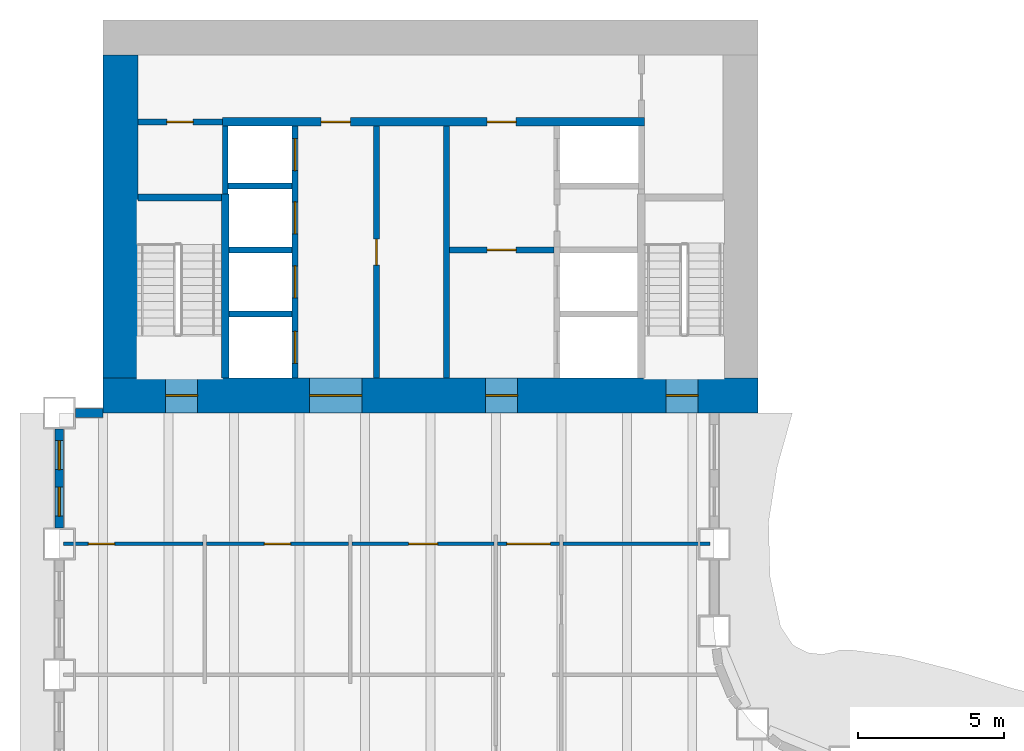
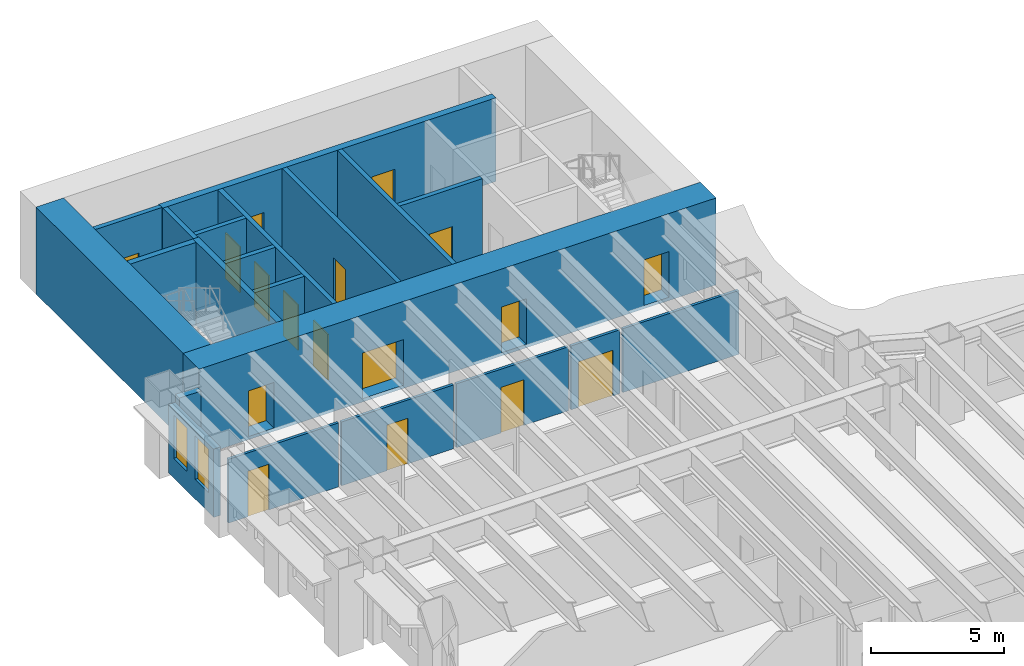
# One storey, part 7 of 15: 21 walls, 17 doors, 2 windows, 19 openings.
"""IFC4 building model written with IfcOpenShell, lengths in metres."""

from ifc_helpers import new_model, si_unit, direction, frame, frame_2d, origin, place, context, subcontext, project, spatial, rectangle, extrude, material, layer, layer_set, type_object, element, fill, save


model = new_model("IFC4")

# Units and contexts
model_context = context("Model", 3, precision=1e-05, world=origin(), true_north=direction((0.0, 1.0)))
body_context = subcontext(model_context, "Body", "Model", "MODEL_VIEW")
ifc_project = project(units=[si_unit("LENGTHUNIT", "METRE"), si_unit("AREAUNIT", "SQUARE_METRE"), si_unit("VOLUMEUNIT", "CUBIC_METRE"), si_unit("PLANEANGLEUNIT", "RADIAN"), si_unit("MASSUNIT", "GRAM", prefix="KILO")], contexts=[model_context])

# Site, building, storey
site_placement = place(None, origin())
site = spatial("IfcSite", under=ifc_project, at=site_placement, CompositionType="ELEMENT")
building_placement = place(site_placement, origin())
building = spatial("IfcBuilding", under=site, at=building_placement, Name="Sennacour Bend Tower", CompositionType="ELEMENT")
storey_placement = place(building_placement, frame((0.0, 0.0, 65.0)))
storey = spatial("IfcBuildingStorey", under=building, at=storey_placement, Name="L14", CompositionType="ELEMENT", Elevation=65.0)

# Wall, openings, doors
ifc_material_1 = material(Name="Concrete C80/95", Category="concrete")
ifc_layer_1 = layer(ifc_material_1, 1.199951171875, Name="Concrete C80/95", Category="concrete")
ifc_layer_set_1 = layer_set([ifc_layer_1], Name="Concrete C80/95")
wall_type_1 = type_object("IfcWallType", Name="Core wall 1200 C80/95", PredefinedType="SHEAR", material=ifc_layer_set_1)
wall_1_placement = place(storey_placement, frame((0.0, 36.60009765625, -0.14990234375), z_axis=(0.0, 0.0, 1.0), x_axis=(1.0, 0.0, 0.0)))
wall_1 = element("IfcWall", 1, at=wall_1_placement, inside=storey, type_object=wall_type_1, Name="Core B wall L14 S", PredefinedType="SHEAR", context=body_context, shape_type="SweptSolid", body=[
    extrude(rectangle(XDim=22.5, YDim=1.199951171875, at=frame_2d((11.25, 0.0))), origin(), (0.0, 0.0, 1.0), 4.0),
])
opening_1_placement = place(wall_1_placement, frame((7.10009765625, 0.0, 0.14990234375)))
opening_1 = element("IfcOpeningElement", 2, at=opening_1_placement, cuts=wall_1, Name="Opening CD", PredefinedType="OPENING", context=body_context, shape_type="SweptSolid", body=[
    extrude(rectangle(XDim=1.800048828125, YDim=2.10009765625, at=frame_2d((0.89990234375, 1.050048828125))), frame((0.0, 0.60986328125, 0.0), z_axis=(0.0, -1.0, 0.0), x_axis=(1.0, 0.0, 0.0)), (0.0, 0.0, 1.0), 1.219970703125),
])
opening_2_placement = place(wall_1_placement, frame((13.14990234375, 0.0, 0.14990234375)))
opening_2 = element("IfcOpeningElement", 3, at=opening_2_placement, cuts=wall_1, Name="Opening FD", PredefinedType="OPENING", context=body_context, shape_type="SweptSolid", body=[
    extrude(rectangle(XDim=1.10009765625, YDim=2.10009765625, at=frame_2d((0.550048828125, 1.050048828125))), frame((0.0, 0.60986328125, 0.0), z_axis=(0.0, -1.0, 0.0), x_axis=(1.0, 0.0, 0.0)), (0.0, 0.0, 1.0), 1.219970703125),
])
opening_3_placement = place(wall_1_placement, frame((2.14990234375, 0.0, 0.14990234375)))
opening_3 = element("IfcOpeningElement", 4, at=opening_3_placement, cuts=wall_1, Name="Opening SD", PredefinedType="OPENING", context=body_context, shape_type="SweptSolid", body=[
    extrude(rectangle(XDim=1.10009765625, YDim=2.10009765625, at=frame_2d((0.550048828125, 1.050048828125))), frame((0.0, 0.60986328125, 0.0), z_axis=(0.0, -1.0, 0.0), x_axis=(1.0, 0.0, 0.0)), (0.0, 0.0, 1.0), 1.219970703125),
])
opening_4_placement = place(wall_1_placement, frame((19.35009765625, 0.0, 0.14990234375)))
opening_4 = element("IfcOpeningElement", 5, at=opening_4_placement, cuts=wall_1, Name="Opening SD", PredefinedType="OPENING", context=body_context, shape_type="SweptSolid", body=[
    extrude(rectangle(XDim=1.10009765625, YDim=2.10009765625, at=frame_2d((0.550048828125, 1.050048828125))), frame((0.0, 0.60986328125, 0.0), z_axis=(0.0, -1.0, 0.0), x_axis=(1.0, 0.0, 0.0)), (0.0, 0.0, 1.0), 1.219970703125),
])
ifc_material_2 = material(Name="Painted steel", Category="steel")
door_type_1 = type_object("IfcDoorType", Name="DR-FFL-1100", OperationType="NOTDEFINED", PredefinedType="DOOR", material=ifc_material_2)
door_1_placement = place(opening_2_placement, origin())
door_1 = element("IfcDoor", 6, at=door_1_placement, inside=storey, type_object=door_type_1, Name="Door", OperationType="SINGLE_SWING_RIGHT", OverallHeight=2.10009765625, OverallWidth=1.10009765625, PredefinedType="DOOR", context=body_context, shape_type="SweptSolid", body=[
    extrude(rectangle(XDim=1.10009765625, YDim=2.10009765625, at=frame_2d((0.550048828125, 1.050048828125))), frame((0.0, 0.02490234375, 0.0), z_axis=(0.0, -1.0, 0.0), x_axis=(1.0, 0.0, 0.0)), (0.0, 0.0, 1.0), 0.050048828125),
])
fill(opening_2, door_1)
door_type_2 = type_object("IfcDoorType", Name="DR-LOBBY-1800", OperationType="NOTDEFINED", PredefinedType="DOOR", material=ifc_material_2)
door_2_placement = place(opening_1_placement, origin())
door_2 = element("IfcDoor", 7, at=door_2_placement, inside=storey, type_object=door_type_2, Name="Door", OperationType="DOUBLE_DOOR_SINGLE_SWING", OverallHeight=2.10009765625, OverallWidth=1.800048828125, PredefinedType="DOOR", context=body_context, shape_type="SweptSolid", body=[
    extrude(rectangle(XDim=1.800048828125, YDim=2.10009765625, at=frame_2d((0.89990234375, 1.050048828125))), frame((0.0, 0.02490234375, 0.0), z_axis=(0.0, -1.0, 0.0), x_axis=(1.0, 0.0, 0.0)), (0.0, 0.0, 1.0), 0.050048828125),
])
fill(opening_1, door_2)
door_type_3 = type_object("IfcDoorType", Name="DR-STAIR-1100", OperationType="NOTDEFINED", PredefinedType="DOOR", material=ifc_material_2)
door_3_placement = place(opening_3_placement, origin())
door_3 = element("IfcDoor", 8, at=door_3_placement, inside=storey, type_object=door_type_3, Name="Door", OperationType="SINGLE_SWING_LEFT", OverallHeight=2.10009765625, OverallWidth=1.10009765625, PredefinedType="DOOR", context=body_context, shape_type="SweptSolid", body=[
    extrude(rectangle(XDim=1.10009765625, YDim=2.10009765625, at=frame_2d((0.550048828125, 1.050048828125))), frame((0.0, 0.02490234375, 0.0), z_axis=(0.0, -1.0, 0.0), x_axis=(1.0, 0.0, 0.0)), (0.0, 0.0, 1.0), 0.050048828125),
])
fill(opening_3, door_3)
door_4_placement = place(opening_4_placement, origin())
door_4 = element("IfcDoor", 9, at=door_4_placement, inside=storey, type_object=door_type_3, Name="Door", OperationType="SINGLE_SWING_RIGHT", OverallHeight=2.10009765625, OverallWidth=1.10009765625, PredefinedType="DOOR", context=body_context, shape_type="SweptSolid", body=[
    extrude(rectangle(XDim=1.10009765625, YDim=2.10009765625, at=frame_2d((0.550048828125, 1.050048828125))), frame((0.0, 0.02490234375, 0.0), z_axis=(0.0, -1.0, 0.0), x_axis=(1.0, 0.0, 0.0)), (0.0, 0.0, 1.0), 0.050048828125),
])
fill(opening_4, door_4)

# Wall
wall_2_placement = place(storey_placement, frame((0.60009765625, 37.199951171875, -0.14990234375), z_axis=(0.0, 0.0, 1.0), x_axis=(0.0, 1.0, 0.0)))
element("IfcWall", 10, at=wall_2_placement, inside=storey, type_object=wall_type_1, Name="Core B wall L14 W", PredefinedType="SHEAR", context=body_context, shape_type="SweptSolid", body=[
    extrude(rectangle(XDim=11.10009765625, YDim=1.199951171875, at=frame_2d((5.550048828125, 0.0))), origin(), (0.0, 0.0, 1.0), 4.0),
])

# Wall, opening, door
ifc_material_3 = material(Name="Plasterboard partition on steel studs", Category="steel")
ifc_layer_2 = layer(ifc_material_3, 0.1201171875, Name="Plasterboard partition on steel studs", Category="steel")
ifc_layer_set_2 = layer_set([ifc_layer_2], Name="Plasterboard partition on steel studs")
wall_type_2 = type_object("IfcWallType", Name="Partition 120", PredefinedType="PARTITIONING", material=ifc_layer_set_2)
wall_3_placement = place(storey_placement, frame((-1.35009765625, 31.5, 0.0), z_axis=(0.0, 0.0, 1.0), x_axis=(1.0, 0.0, 0.0)))
wall_3 = element("IfcWall", 11, at=wall_3_placement, inside=storey, type_object=wall_type_2, Name="P-L14-W070aa", PredefinedType="PARTITIONING", context=body_context, shape_type="SweptSolid", body=[
    extrude(rectangle(XDim=4.7900390625, YDim=0.1201171875, at=frame_2d((2.39501953125, 0.0))), origin(), (0.0, 0.0, 1.0), 2.93798828125),
])
opening_5_placement = place(wall_3_placement, frame((0.85009765625, 0.0, 0.0)))
opening_5 = element("IfcOpeningElement", 12, at=opening_5_placement, cuts=wall_3, Name="Opening WD", PredefinedType="OPENING", context=body_context, shape_type="SweptSolid", body=[
    extrude(rectangle(XDim=0.89990234375, YDim=2.10009765625, at=frame_2d((0.449951171875, 1.050048828125))), frame((0.0, 0.070068359375, 0.0), z_axis=(0.0, -1.0, 0.0), x_axis=(1.0, 0.0, 0.0)), (0.0, 0.0, 1.0), 0.14013671875),
])
ifc_material_4 = material(Name="Timber", Category="wood")
door_type_4 = type_object("IfcDoorType", Name="DR-WC-900", OperationType="NOTDEFINED", PredefinedType="DOOR", material=ifc_material_4)
door_5_placement = place(opening_5_placement, origin())
door_5 = element("IfcDoor", 13, at=door_5_placement, inside=storey, type_object=door_type_4, Name="Door", OperationType="SINGLE_SWING_LEFT", OverallHeight=2.10009765625, OverallWidth=0.89990234375, PredefinedType="DOOR", context=body_context, shape_type="SweptSolid", body=[
    extrude(rectangle(XDim=0.89990234375, YDim=2.10009765625, at=frame_2d((0.449951171875, 1.050048828125))), frame((0.0, 0.02490234375, 0.0), z_axis=(0.0, -1.0, 0.0), x_axis=(1.0, 0.0, 0.0)), (0.0, 0.0, 1.0), 0.050048828125),
])
fill(opening_5, door_5)

wall_4_placement = place(storey_placement, frame((3.56005859375, 31.5, 0.0), z_axis=(0.0, 0.0, 1.0), x_axis=(1.0, 0.0, 0.0)))
wall_4 = element("IfcWall", 14, at=wall_4_placement, inside=storey, type_object=wall_type_2, Name="P-L14-W070ab", PredefinedType="PARTITIONING", context=body_context, shape_type="SweptSolid", body=[
    extrude(rectangle(XDim=4.8798828125, YDim=0.1201171875, at=frame_2d((2.43994140625, 0.0))), origin(), (0.0, 0.0, 1.0), 2.93798828125),
])
opening_6_placement = place(wall_4_placement, frame((1.989990234375, 0.0, 0.0)))
opening_6 = element("IfcOpeningElement", 15, at=opening_6_placement, cuts=wall_4, Name="Opening WD", PredefinedType="OPENING", context=body_context, shape_type="SweptSolid", body=[
    extrude(rectangle(XDim=0.89990234375, YDim=2.10009765625, at=frame_2d((0.449951171875, 1.050048828125))), frame((0.0, 0.070068359375, 0.0), z_axis=(0.0, -1.0, 0.0), x_axis=(1.0, 0.0, 0.0)), (0.0, 0.0, 1.0), 0.14013671875),
])
door_6_placement = place(opening_6_placement, origin())
door_6 = element("IfcDoor", 16, at=door_6_placement, inside=storey, type_object=door_type_4, Name="Door", OperationType="SINGLE_SWING_LEFT", OverallHeight=2.10009765625, OverallWidth=0.89990234375, PredefinedType="DOOR", context=body_context, shape_type="SweptSolid", body=[
    extrude(rectangle(XDim=0.89990234375, YDim=2.10009765625, at=frame_2d((0.449951171875, 1.050048828125))), frame((0.0, 0.02490234375, 0.0), z_axis=(0.0, -1.0, 0.0), x_axis=(1.0, 0.0, 0.0)), (0.0, 0.0, 1.0), 0.050048828125),
])
fill(opening_6, door_6)

wall_5_placement = place(storey_placement, frame((8.56005859375, 31.5, 0.0), z_axis=(0.0, 0.0, 1.0), x_axis=(1.0, 0.0, 0.0)))
wall_5 = element("IfcWall", 17, at=wall_5_placement, inside=storey, type_object=wall_type_2, Name="P-L14-W070ac", PredefinedType="PARTITIONING", context=body_context, shape_type="SweptSolid", body=[
    extrude(rectangle(XDim=4.8798828125, YDim=0.1201171875, at=frame_2d((2.43994140625, 0.0))), origin(), (0.0, 0.0, 1.0), 2.93798828125),
])
opening_7_placement = place(wall_5_placement, frame((1.93994140625, 0.0, 0.0)))
opening_7 = element("IfcOpeningElement", 18, at=opening_7_placement, cuts=wall_5, Name="Opening AD", PredefinedType="OPENING", context=body_context, shape_type="SweptSolid", body=[
    extrude(rectangle(XDim=1.0, YDim=2.10009765625, at=frame_2d((0.5, 1.050048828125))), frame((0.0, 0.070068359375, 0.0), z_axis=(0.0, -1.0, 0.0), x_axis=(1.0, 0.0, 0.0)), (0.0, 0.0, 1.0), 0.14013671875),
])
door_type_5 = type_object("IfcDoorType", Name="DR-ACC-WC-1000", OperationType="NOTDEFINED", PredefinedType="DOOR", material=ifc_material_4)
door_7_placement = place(opening_7_placement, origin())
door_7 = element("IfcDoor", 19, at=door_7_placement, inside=storey, type_object=door_type_5, Name="Door", OperationType="SINGLE_SWING_LEFT", OverallHeight=2.10009765625, OverallWidth=1.0, PredefinedType="DOOR", context=body_context, shape_type="SweptSolid", body=[
    extrude(rectangle(XDim=1.0, YDim=2.10009765625, at=frame_2d((0.5, 1.050048828125))), frame((0.0, 0.02490234375, 0.0), z_axis=(0.0, -1.0, 0.0), x_axis=(1.0, 0.0, 0.0)), (0.0, 0.0, 1.0), 0.050048828125),
])
fill(opening_7, door_7)

# Wall
wall_6_placement = place(storey_placement, frame((15.81005859375, 31.5, 0.0), z_axis=(0.0, 0.0, 1.0), x_axis=(1.0, 0.0, 0.0)))
element("IfcWall", 20, at=wall_6_placement, inside=storey, type_object=wall_type_2, Name="P-L14-W070ae", PredefinedType="PARTITIONING", context=body_context, shape_type="SweptSolid", body=[
    extrude(rectangle(XDim=5.0400390625, YDim=0.1201171875, at=frame_2d((2.52001953125, 0.0))), origin(), (0.0, 0.0, 1.0), 2.93798828125),
])

# Wall, opening, door
ifc_layer_3 = layer(ifc_material_3, 0.1201171875, Name="Plasterboard partition on steel studs", Category="steel")
ifc_layer_set_3 = layer_set([ifc_layer_3], Name="Plasterboard partition on steel studs")
wall_type_3 = type_object("IfcWallType", Name="Partition 120 EI 30", PredefinedType="PARTITIONING", material=ifc_layer_set_3)
wall_7_placement = place(storey_placement, frame((13.56005859375, 31.5, 0.0), z_axis=(0.0, 0.0, 1.0), x_axis=(1.0, 0.0, 0.0)))
wall_7 = element("IfcWall", 21, at=wall_7_placement, inside=storey, type_object=wall_type_3, Name="P-L14-W070ad", PredefinedType="PARTITIONING", context=body_context, shape_type="SweptSolid", body=[
    extrude(rectangle(XDim=2.1298828125, YDim=0.1201171875, at=frame_2d((1.06494140625, 0.0))), origin(), (0.0, 0.0, 1.0), 2.93798828125),
])
opening_8_placement = place(wall_7_placement, frame((0.31494140625, 0.0, 0.0)))
opening_8 = element("IfcOpeningElement", 22, at=opening_8_placement, cuts=wall_7, Name="Opening KD", PredefinedType="OPENING", context=body_context, shape_type="SweptSolid", body=[
    extrude(rectangle(XDim=1.5, YDim=2.10009765625, at=frame_2d((0.75, 1.050048828125))), frame((0.0, 0.070068359375, 0.0), z_axis=(0.0, -1.0, 0.0), x_axis=(1.0, 0.0, 0.0)), (0.0, 0.0, 1.0), 0.14013671875),
])
door_type_6 = type_object("IfcDoorType", Name="DR-CORRIDOR-1500", OperationType="NOTDEFINED", PredefinedType="DOOR", material=ifc_material_2)
door_8_placement = place(opening_8_placement, origin())
door_8 = element("IfcDoor", 23, at=door_8_placement, inside=storey, type_object=door_type_6, Name="Door", OperationType="SINGLE_SWING_LEFT", OverallHeight=2.10009765625, OverallWidth=1.5, PredefinedType="DOOR", context=body_context, shape_type="SweptSolid", body=[
    extrude(rectangle(XDim=1.5, YDim=2.10009765625, at=frame_2d((0.75, 1.050048828125))), frame((0.0, 0.02490234375, 0.0), z_axis=(0.0, -1.0, 0.0), x_axis=(1.0, 0.0, 0.0)), (0.0, 0.0, 1.0), 0.050048828125),
])
fill(opening_8, door_8)

ifc_material_5 = material(Name="Fire-rated plasterboard partition on steel studs", Category="steel")
ifc_layer_4 = layer(ifc_material_5, 0.199951171875, Name="Fire-rated plasterboard partition on steel studs", Category="steel")
ifc_layer_set_4 = layer_set([ifc_layer_4], Name="Fire-rated plasterboard partition on steel studs")
wall_type_4 = type_object("IfcWallType", Name="Rated partition 200", PredefinedType="PARTITIONING", material=ifc_layer_set_4)
wall_8_placement = place(storey_placement, frame((9.39990234375, 37.199951171875, 0.0), z_axis=(0.0, 0.0, 1.0), x_axis=(0.0, 1.0, 0.0)))
wall_8 = element("IfcWall", 24, at=wall_8_placement, inside=storey, type_object=wall_type_4, Name="P-L14-W010", PredefinedType="PARTITIONING", context=body_context, shape_type="SweptSolid", body=[
    extrude(rectangle(XDim=8.650146484375, YDim=0.199951171875, at=frame_2d((4.3251953125, 0.0))), origin(), (0.0, 0.0, 1.0), 3.85009765625),
])
opening_9_placement = place(wall_8_placement, frame((3.875, 0.0, 0.0)))
opening_9 = element("IfcOpeningElement", 25, at=opening_9_placement, cuts=wall_8, Name="Opening SV", PredefinedType="OPENING", context=body_context, shape_type="SweptSolid", body=[
    extrude(rectangle(XDim=0.89990234375, YDim=2.10009765625, at=frame_2d((0.449951171875, 1.050048828125))), frame((0.0, 0.10986328125, 0.0), z_axis=(0.0, -1.0, 0.0), x_axis=(1.0, 0.0, 0.0)), (0.0, 0.0, 1.0), 0.219970703125),
])
door_type_7 = type_object("IfcDoorType", Name="DR-SERVICE-900", OperationType="NOTDEFINED", PredefinedType="DOOR", material=ifc_material_2)
door_9_placement = place(opening_9_placement, origin())
door_9 = element("IfcDoor", 26, at=door_9_placement, inside=storey, type_object=door_type_7, Name="Door", OperationType="SINGLE_SWING_LEFT", OverallHeight=2.10009765625, OverallWidth=0.89990234375, PredefinedType="DOOR", context=body_context, shape_type="SweptSolid", body=[
    extrude(rectangle(XDim=0.89990234375, YDim=2.10009765625, at=frame_2d((0.449951171875, 1.050048828125))), frame((0.0, 0.02490234375, 0.0), z_axis=(0.0, -1.0, 0.0), x_axis=(1.0, 0.0, 0.0)), (0.0, 0.0, 1.0), 0.050048828125),
])
fill(opening_9, door_9)

# Wall
wall_9_placement = place(storey_placement, frame((11.800048828125, 37.199951171875, 0.0), z_axis=(0.0, 0.0, 1.0), x_axis=(0.0, 1.0, 0.0)))
element("IfcWall", 27, at=wall_9_placement, inside=storey, type_object=wall_type_4, Name="P-L14-W011", PredefinedType="PARTITIONING", context=body_context, shape_type="SweptSolid", body=[
    extrude(rectangle(XDim=8.650146484375, YDim=0.199951171875, at=frame_2d((4.3251953125, 0.0))), origin(), (0.0, 0.0, 1.0), 3.85009765625),
])

# Wall, opening, door
wall_10_placement = place(storey_placement, frame((1.199951171875, 46.0, 0.0), z_axis=(0.0, 0.0, 1.0), x_axis=(1.0, 0.0, 0.0)))
wall_10 = element("IfcWall", 28, at=wall_10_placement, inside=storey, type_object=wall_type_4, Name="P-L14-W081", PredefinedType="PARTITIONING", context=body_context, shape_type="SweptSolid", body=[
    extrude(rectangle(XDim=2.900146484375, YDim=0.199951171875, at=frame_2d((1.4501953125, 0.0))), origin(), (0.0, 0.0, 1.0), 3.85009765625),
])
opening_10_placement = place(wall_10_placement, frame((1.0, 0.0, 0.0)))
opening_10 = element("IfcOpeningElement", 29, at=opening_10_placement, cuts=wall_10, Name="Opening SV", PredefinedType="OPENING", context=body_context, shape_type="SweptSolid", body=[
    extrude(rectangle(XDim=0.89990234375, YDim=2.10009765625, at=frame_2d((0.449951171875, 1.050048828125))), frame((0.0, 0.10986328125, 0.0), z_axis=(0.0, -1.0, 0.0), x_axis=(1.0, 0.0, 0.0)), (0.0, 0.0, 1.0), 0.219970703125),
])
door_10_placement = place(opening_10_placement, origin())
door_10 = element("IfcDoor", 30, at=door_10_placement, inside=storey, type_object=door_type_7, Name="Door", OperationType="SINGLE_SWING_LEFT", OverallHeight=2.10009765625, OverallWidth=0.89990234375, PredefinedType="DOOR", context=body_context, shape_type="SweptSolid", body=[
    extrude(rectangle(XDim=0.89990234375, YDim=2.10009765625, at=frame_2d((0.449951171875, 1.050048828125))), frame((0.0, 0.02490234375, 0.0), z_axis=(0.0, -1.0, 0.0), x_axis=(1.0, 0.0, 0.0)), (0.0, 0.0, 1.0), 0.050048828125),
])
fill(opening_10, door_10)

ifc_layer_5 = layer(ifc_material_5, 0.199951171875, Name="Fire-rated plasterboard partition on steel studs", Category="steel")
ifc_layer_set_5 = layer_set([ifc_layer_5], Name="Fire-rated plasterboard partition on steel studs")
wall_type_5 = type_object("IfcWallType", Name="Rated partition 200 EI 90", PredefinedType="PARTITIONING", material=ifc_layer_set_5)
wall_11_placement = place(storey_placement, frame((11.89990234375, 41.60009765625, 0.0), z_axis=(0.0, 0.0, 1.0), x_axis=(1.0, 0.0, 0.0)))
wall_11 = element("IfcWall", 31, at=wall_11_placement, inside=storey, type_object=wall_type_5, Name="P-L14-W075", PredefinedType="PARTITIONING", context=body_context, shape_type="SweptSolid", body=[
    extrude(rectangle(XDim=3.60009765625, YDim=0.199951171875, at=frame_2d((1.800048828125, 0.0))), origin(), (0.0, 0.0, 1.0), 3.85009765625),
])
opening_11_placement = place(wall_11_placement, frame((1.300048828125, 0.0, 0.0)))
opening_11 = element("IfcOpeningElement", 32, at=opening_11_placement, cuts=wall_11, Name="Opening FD2", PredefinedType="OPENING", context=body_context, shape_type="SweptSolid", body=[
    extrude(rectangle(XDim=1.0, YDim=2.10009765625, at=frame_2d((0.5, 1.050048828125))), frame((0.0, 0.10986328125, 0.0), z_axis=(0.0, -1.0, 0.0), x_axis=(1.0, 0.0, 0.0)), (0.0, 0.0, 1.0), 0.219970703125),
])
door_type_8 = type_object("IfcDoorType", Name="DR-FFL-1000", OperationType="NOTDEFINED", PredefinedType="DOOR", material=ifc_material_2)
door_11_placement = place(opening_11_placement, origin())
door_11 = element("IfcDoor", 33, at=door_11_placement, inside=storey, type_object=door_type_8, Name="Door", OperationType="SINGLE_SWING_LEFT", OverallHeight=2.10009765625, OverallWidth=1.0, PredefinedType="DOOR", context=body_context, shape_type="SweptSolid", body=[
    extrude(rectangle(XDim=1.0, YDim=2.10009765625, at=frame_2d((0.5, 1.050048828125))), frame((0.0, 0.02490234375, 0.0), z_axis=(0.0, -1.0, 0.0), x_axis=(1.0, 0.0, 0.0)), (0.0, 0.0, 1.0), 0.050048828125),
])
fill(opening_11, door_11)

# Wall
ifc_material_6 = material(Name="Warm limestone cladding", Category="masonry")
ifc_layer_6 = layer(ifc_material_6, 0.050048828125, Name="Warm limestone cladding", Category="masonry")
ifc_material_7 = material(Name="Precast concrete C40/50", Category="concrete")
ifc_layer_7 = layer(ifc_material_7, 0.25, Name="Precast concrete C40/50", Category="concrete")
ifc_layer_set_6 = layer_set([ifc_layer_6, ifc_layer_7], Name="Precast concrete C40/50 with limestone cladding")
wall_type_6 = type_object("IfcWallType", Name="STONE-CLAD PRECAST SPANDREL 300", PredefinedType="STANDARD", material=ifc_layer_set_6)
wall_12_placement = place(storey_placement, frame((0.0, 36.0, 0.0), z_axis=(0.0, 0.0, 1.0), x_axis=(-1.0, 0.0, 0.0)))
element("IfcWall", 34, at=wall_12_placement, inside=storey, type_object=wall_type_6, Name="Stone spandrel and pier wall L14 20.00", PredefinedType="STANDARD", context=body_context, shape_type="SweptSolid", body=[
    extrude(rectangle(XDim=0.949951171875, YDim=0.300048828125, at=frame_2d((0.47509765625, 0.0))), origin(), (0.0, 0.0, 1.0), 2.93798828125),
])

# Wall, openings, windows
wall_13_placement = place(storey_placement, frame((-1.5, 35.449951171875, 0.0), z_axis=(0.0, 0.0, 1.0), x_axis=(0.0, -1.0, 0.0)))
wall_13 = element("IfcWall", 35, at=wall_13_placement, inside=storey, type_object=wall_type_6, Name="Stone spandrel and pier wall L14 21.00", PredefinedType="STANDARD", context=body_context, shape_type="SweptSolid", body=[
    extrude(rectangle(XDim=3.39990234375, YDim=0.300048828125, at=frame_2d((1.699951171875, 0.0))), origin(), (0.0, 0.0, 1.0), 3.14404296875),
])
opening_12_placement = place(wall_13_placement, frame((0.39990234375, 0.0, 0.89990234375)))
opening_12 = element("IfcOpeningElement", 36, at=opening_12_placement, cuts=wall_13, Name="Opening W8", PredefinedType="OPENING", context=body_context, shape_type="SweptSolid", body=[
    extrude(rectangle(XDim=1.0, YDim=2.0, at=frame_2d((0.5, 1.0))), frame((0.0, 0.16015625, 0.0), z_axis=(0.0, -1.0, 0.0), x_axis=(1.0, 0.0, 0.0)), (0.0, 0.0, 1.0), 0.320068359375),
])
opening_13_placement = place(wall_13_placement, frame((2.0, 0.0, 0.89990234375)))
opening_13 = element("IfcOpeningElement", 37, at=opening_13_placement, cuts=wall_13, Name="Opening W8", PredefinedType="OPENING", context=body_context, shape_type="SweptSolid", body=[
    extrude(rectangle(XDim=1.0, YDim=2.0, at=frame_2d((0.5, 1.0))), frame((0.0, 0.16015625, 0.0), z_axis=(0.0, -1.0, 0.0), x_axis=(1.0, 0.0, 0.0)), (0.0, 0.0, 1.0), 0.320068359375),
])
ifc_material_8 = material(Name="Clear low-emissivity glass", Category="glass")
window_type = type_object("IfcWindowType", Name="WIN-RIBBON-1000x2000", PartitioningType="SINGLE_PANEL", PredefinedType="WINDOW", material=ifc_material_8)
window_1_placement = place(opening_12_placement, origin())
window_1 = element("IfcWindow", 38, at=window_1_placement, inside=storey, type_object=window_type, Name="Ribbon window L14 21.00.0", OverallHeight=2.0, OverallWidth=1.0, PartitioningType="SINGLE_PANEL", PredefinedType="WINDOW", context=body_context, shape_type="SweptSolid", body=[
    extrude(rectangle(XDim=1.0, YDim=2.0, at=frame_2d((0.5, 1.0))), frame((0.0, 0.030029296875, 0.0), z_axis=(0.0, -1.0, 0.0), x_axis=(1.0, 0.0, 0.0)), (0.0, 0.0, 1.0), 0.06005859375),
])
fill(opening_12, window_1)
window_2_placement = place(opening_13_placement, origin())
window_2 = element("IfcWindow", 39, at=window_2_placement, inside=storey, type_object=window_type, Name="Ribbon window L14 21.00.1", OverallHeight=2.0, OverallWidth=1.0, PartitioningType="SINGLE_PANEL", PredefinedType="WINDOW", context=body_context, shape_type="SweptSolid", body=[
    extrude(rectangle(XDim=1.0, YDim=2.0, at=frame_2d((0.5, 1.0))), frame((0.0, 0.030029296875, 0.0), z_axis=(0.0, -1.0, 0.0), x_axis=(1.0, 0.0, 0.0)), (0.0, 0.0, 1.0), 0.06005859375),
])
fill(opening_13, window_2)

# Wall
ifc_material_9 = material(Name="Concrete C50/60", Category="concrete")
ifc_layer_8 = layer(ifc_material_9, 0.199951171875, Name="Concrete C50/60", Category="concrete")
ifc_layer_set_7 = layer_set([ifc_layer_8], Name="Concrete C50/60")
wall_type_7 = type_object("IfcWallType", Name="Shaft wall 200", PredefinedType="SOLIDWALL", material=ifc_layer_set_7)
wall_14_placement = place(storey_placement, frame((4.199951171875, 43.52490234375, 0.0), z_axis=(0.0, 0.0, 1.0), x_axis=(0.0, 1.0, 0.0)))
element("IfcWall", 40, at=wall_14_placement, inside=storey, type_object=wall_type_7, Name="P-L14-W006", PredefinedType="SOLIDWALL", context=body_context, shape_type="SweptSolid", body=[
    extrude(rectangle(XDim=2.3251953125, YDim=0.199951171875, at=frame_2d((1.16259765625, 0.0))), origin(), (0.0, 0.0, 1.0), 3.85009765625),
])

# Wall, openings, doors
wall_15_placement = place(storey_placement, frame((6.60009765625, 37.199951171875, 0.0), z_axis=(0.0, 0.0, 1.0), x_axis=(0.0, 1.0, 0.0)))
wall_15 = element("IfcWall", 41, at=wall_15_placement, inside=storey, type_object=wall_type_7, Name="P-L14-W007", PredefinedType="SOLIDWALL", context=body_context, shape_type="SweptSolid", body=[
    extrude(rectangle(XDim=8.650146484375, YDim=0.199951171875, at=frame_2d((4.3251953125, 0.0))), origin(), (0.0, 0.0, 1.0), 3.85009765625),
])
opening_14_placement = place(wall_15_placement, frame((0.5, 0.0, 0.011962890625)))
opening_14 = element("IfcOpeningElement", 42, at=opening_14_placement, cuts=wall_15, Name="Opening LD", PredefinedType="OPENING", context=body_context, shape_type="SweptSolid", body=[
    extrude(rectangle(XDim=1.10009765625, YDim=2.10009765625, at=frame_2d((0.550048828125, 1.050048828125))), frame((0.0, 0.10986328125, 0.0), z_axis=(0.0, -1.0, 0.0), x_axis=(1.0, 0.0, 0.0)), (0.0, 0.0, 1.0), 0.219970703125),
])
opening_15_placement = place(wall_15_placement, frame((2.75, 0.0, 0.011962890625)))
opening_15 = element("IfcOpeningElement", 43, at=opening_15_placement, cuts=wall_15, Name="Opening LD", PredefinedType="OPENING", context=body_context, shape_type="SweptSolid", body=[
    extrude(rectangle(XDim=1.10009765625, YDim=2.10009765625, at=frame_2d((0.550048828125, 1.050048828125))), frame((0.0, 0.10986328125, 0.0), z_axis=(0.0, -1.0, 0.0), x_axis=(1.0, 0.0, 0.0)), (0.0, 0.0, 1.0), 0.219970703125),
])
opening_16_placement = place(wall_15_placement, frame((4.949951171875, 0.0, 0.011962890625)))
opening_16 = element("IfcOpeningElement", 44, at=opening_16_placement, cuts=wall_15, Name="Opening LD", PredefinedType="OPENING", context=body_context, shape_type="SweptSolid", body=[
    extrude(rectangle(XDim=1.10009765625, YDim=2.10009765625, at=frame_2d((0.550048828125, 1.050048828125))), frame((0.0, 0.10986328125, 0.0), z_axis=(0.0, -1.0, 0.0), x_axis=(1.0, 0.0, 0.0)), (0.0, 0.0, 1.0), 0.219970703125),
])
opening_17_placement = place(wall_15_placement, frame((7.125, 0.0, 0.011962890625)))
opening_17 = element("IfcOpeningElement", 45, at=opening_17_placement, cuts=wall_15, Name="Opening LD", PredefinedType="OPENING", context=body_context, shape_type="SweptSolid", body=[
    extrude(rectangle(XDim=1.10009765625, YDim=2.10009765625, at=frame_2d((0.550048828125, 1.050048828125))), frame((0.0, 0.10986328125, 0.0), z_axis=(0.0, -1.0, 0.0), x_axis=(1.0, 0.0, 0.0)), (0.0, 0.0, 1.0), 0.219970703125),
])
ifc_material_10 = material(Name="Stainless steel", Category="steel")
door_type_9 = type_object("IfcDoorType", Name="DR-LANDING-1100", OperationType="NOTDEFINED", PredefinedType="DOOR", material=ifc_material_10)
door_12_placement = place(opening_14_placement, origin())
door_12 = element("IfcDoor", 46, at=door_12_placement, inside=storey, type_object=door_type_9, Name="Lift landing door LB1", OperationType="SLIDING_TO_LEFT", OverallHeight=2.10009765625, OverallWidth=1.10009765625, PredefinedType="DOOR", context=body_context, shape_type="SweptSolid", body=[
    extrude(rectangle(XDim=1.10009765625, YDim=2.10009765625, at=frame_2d((0.550048828125, 1.050048828125))), frame((0.0, 0.02490234375, 0.0), z_axis=(0.0, -1.0, 0.0), x_axis=(1.0, 0.0, 0.0)), (0.0, 0.0, 1.0), 0.050048828125),
])
fill(opening_14, door_12)
door_13_placement = place(opening_15_placement, origin())
door_13 = element("IfcDoor", 47, at=door_13_placement, inside=storey, type_object=door_type_9, Name="Lift landing door LB2", OperationType="SLIDING_TO_RIGHT", OverallHeight=2.10009765625, OverallWidth=1.10009765625, PredefinedType="DOOR", context=body_context, shape_type="SweptSolid", body=[
    extrude(rectangle(XDim=1.10009765625, YDim=2.10009765625, at=frame_2d((0.550048828125, 1.050048828125))), frame((0.0, 0.02490234375, 0.0), z_axis=(0.0, -1.0, 0.0), x_axis=(1.0, 0.0, 0.0)), (0.0, 0.0, 1.0), 0.050048828125),
])
fill(opening_15, door_13)
door_14_placement = place(opening_16_placement, origin())
door_14 = element("IfcDoor", 48, at=door_14_placement, inside=storey, type_object=door_type_9, Name="Lift landing door LB3", OperationType="SLIDING_TO_LEFT", OverallHeight=2.10009765625, OverallWidth=1.10009765625, PredefinedType="DOOR", context=body_context, shape_type="SweptSolid", body=[
    extrude(rectangle(XDim=1.10009765625, YDim=2.10009765625, at=frame_2d((0.550048828125, 1.050048828125))), frame((0.0, 0.02490234375, 0.0), z_axis=(0.0, -1.0, 0.0), x_axis=(1.0, 0.0, 0.0)), (0.0, 0.0, 1.0), 0.050048828125),
])
fill(opening_16, door_14)
door_15_placement = place(opening_17_placement, origin())
door_15 = element("IfcDoor", 49, at=door_15_placement, inside=storey, type_object=door_type_9, Name="Lift landing door LB4", OperationType="SLIDING_TO_RIGHT", OverallHeight=2.10009765625, OverallWidth=1.10009765625, PredefinedType="DOOR", context=body_context, shape_type="SweptSolid", body=[
    extrude(rectangle(XDim=1.10009765625, YDim=2.10009765625, at=frame_2d((0.550048828125, 1.050048828125))), frame((0.0, 0.02490234375, 0.0), z_axis=(0.0, -1.0, 0.0), x_axis=(1.0, 0.0, 0.0)), (0.0, 0.0, 1.0), 0.050048828125),
])
fill(opening_17, door_15)

# Walls
for number, where, z_axis, x_axis, name in (
    (50, (4.324951171875, 39.39990234375, 0.0), (0.0, 0.0, 1.0), (1.0, 0.0, 0.0), "P-L14-W072"),
    (51, (4.324951171875, 41.60009765625, 0.0), (0.0, 0.0, 1.0), (1.0, 0.0, 0.0), "P-L14-W074"),
):
    element("IfcWall", number, at=place(storey_placement, frame(where, z_axis=z_axis, x_axis=x_axis)), inside=storey, type_object=wall_type_7, Name=name, PredefinedType="SOLIDWALL", context=body_context, shape_type="SweptSolid", body=[
        extrude(rectangle(XDim=2.175048828125, YDim=0.199951171875, at=frame_2d((1.08740234375, 0.0))), origin(), (0.0, 0.0, 1.0), 3.85009765625),
    ])
wall_16_placement = place(storey_placement, frame((4.300048828125, 43.800048828125, 0.0), z_axis=(0.0, 0.0, 1.0), x_axis=(1.0, 0.0, 0.0)))
element("IfcWall", 52, at=wall_16_placement, inside=storey, type_object=wall_type_7, Name="P-L14-W079", PredefinedType="SOLIDWALL", context=body_context, shape_type="SweptSolid", body=[
    extrude(rectangle(XDim=2.199951171875, YDim=0.199951171875, at=frame_2d((1.10009765625, 0.0))), origin(), (0.0, 0.0, 1.0), 3.85009765625),
])

# Wall, openings, doors
ifc_material_11 = material(Name="Concrete C60/75", Category="concrete")
ifc_layer_9 = layer(ifc_material_11, 0.300048828125, Name="Concrete C60/75", Category="concrete")
ifc_layer_set_8 = layer_set([ifc_layer_9], Name="Concrete C60/75")
wall_type_8 = type_object("IfcWallType", Name="Spine wall 300", PredefinedType="SHEAR", material=ifc_layer_set_8)
wall_17_placement = place(storey_placement, frame((4.10009765625, 46.0, 0.0), z_axis=(0.0, 0.0, 1.0), x_axis=(1.0, 0.0, 0.0)))
wall_17 = element("IfcWall", 53, at=wall_17_placement, inside=storey, type_object=wall_type_8, Name="P-L14-W082", PredefinedType="SHEAR", context=body_context, shape_type="SweptSolid", body=[
    extrude(rectangle(XDim=14.5, YDim=0.300048828125, at=frame_2d((7.25, 0.0))), origin(), (0.0, 0.0, 1.0), 3.85009765625),
])
opening_18_placement = place(wall_17_placement, frame((3.39990234375, 0.0, 0.0)))
opening_18 = element("IfcOpeningElement", 54, at=opening_18_placement, cuts=wall_17, Name="Opening CD2", PredefinedType="OPENING", context=body_context, shape_type="SweptSolid", body=[
    extrude(rectangle(XDim=1.0, YDim=2.10009765625, at=frame_2d((0.5, 1.050048828125))), frame((0.0, 0.16015625, 0.0), z_axis=(0.0, -1.0, 0.0), x_axis=(1.0, 0.0, 0.0)), (0.0, 0.0, 1.0), 0.320068359375),
])
opening_19_placement = place(wall_17_placement, frame((9.099853515625, 0.0, 0.0)))
opening_19 = element("IfcOpeningElement", 55, at=opening_19_placement, cuts=wall_17, Name="Opening CD2", PredefinedType="OPENING", context=body_context, shape_type="SweptSolid", body=[
    extrude(rectangle(XDim=1.0, YDim=2.10009765625, at=frame_2d((0.5, 1.050048828125))), frame((0.0, 0.16015625, 0.0), z_axis=(0.0, -1.0, 0.0), x_axis=(1.0, 0.0, 0.0)), (0.0, 0.0, 1.0), 0.320068359375),
])
door_type_10 = type_object("IfcDoorType", Name="DR-LOBBY-1000", OperationType="NOTDEFINED", PredefinedType="DOOR", material=ifc_material_2)
door_16_placement = place(opening_18_placement, origin())
door_16 = element("IfcDoor", 56, at=door_16_placement, inside=storey, type_object=door_type_10, Name="Door", OperationType="SINGLE_SWING_LEFT", OverallHeight=2.10009765625, OverallWidth=1.0, PredefinedType="DOOR", context=body_context, shape_type="SweptSolid", body=[
    extrude(rectangle(XDim=1.0, YDim=2.10009765625, at=frame_2d((0.5, 1.050048828125))), frame((0.0, 0.02490234375, 0.0), z_axis=(0.0, -1.0, 0.0), x_axis=(1.0, 0.0, 0.0)), (0.0, 0.0, 1.0), 0.050048828125),
])
fill(opening_18, door_16)
door_17_placement = place(opening_19_placement, origin())
door_17 = element("IfcDoor", 57, at=door_17_placement, inside=storey, type_object=door_type_10, Name="Door", OperationType="SINGLE_SWING_RIGHT", OverallHeight=2.10009765625, OverallWidth=1.0, PredefinedType="DOOR", context=body_context, shape_type="SweptSolid", body=[
    extrude(rectangle(XDim=1.0, YDim=2.10009765625, at=frame_2d((0.5, 1.050048828125))), frame((0.0, 0.02490234375, 0.0), z_axis=(0.0, -1.0, 0.0), x_axis=(1.0, 0.0, 0.0)), (0.0, 0.0, 1.0), 0.050048828125),
])
fill(opening_19, door_17)

# Walls
ifc_layer_10 = layer(ifc_material_11, 0.25, Name="Concrete C60/75", Category="concrete")
ifc_layer_set_9 = layer_set([ifc_layer_10], Name="Concrete C60/75")
wall_type_9 = type_object("IfcWallType", Name="Stair wall 250", PredefinedType="SHEAR", material=ifc_layer_set_9)
wall_18_placement = place(storey_placement, frame((4.199951171875, 37.199951171875, 0.0), z_axis=(0.0, 0.0, 1.0), x_axis=(0.0, 1.0, 0.0)))
element("IfcWall", 58, at=wall_18_placement, inside=storey, type_object=wall_type_9, Name="P-L14-W005", PredefinedType="SHEAR", context=body_context, shape_type="SweptSolid", body=[
    extrude(rectangle(XDim=6.324951171875, YDim=0.25, at=frame_2d((3.16259765625, 0.0))), origin(), (0.0, 0.0, 1.0), 3.85009765625),
])
wall_19_placement = place(storey_placement, frame((1.199951171875, 43.39990234375, 0.0), z_axis=(0.0, 0.0, 1.0), x_axis=(1.0, 0.0, 0.0)))
element("IfcWall", 59, at=wall_19_placement, inside=storey, type_object=wall_type_9, Name="P-L14-W077", PredefinedType="SHEAR", context=body_context, shape_type="SweptSolid", body=[
    extrude(rectangle(XDim=2.875, YDim=0.25, at=frame_2d((1.4375, 0.0))), origin(), (0.0, 0.0, 1.0), 3.85009765625),
])

save(model, "model.ifc")
